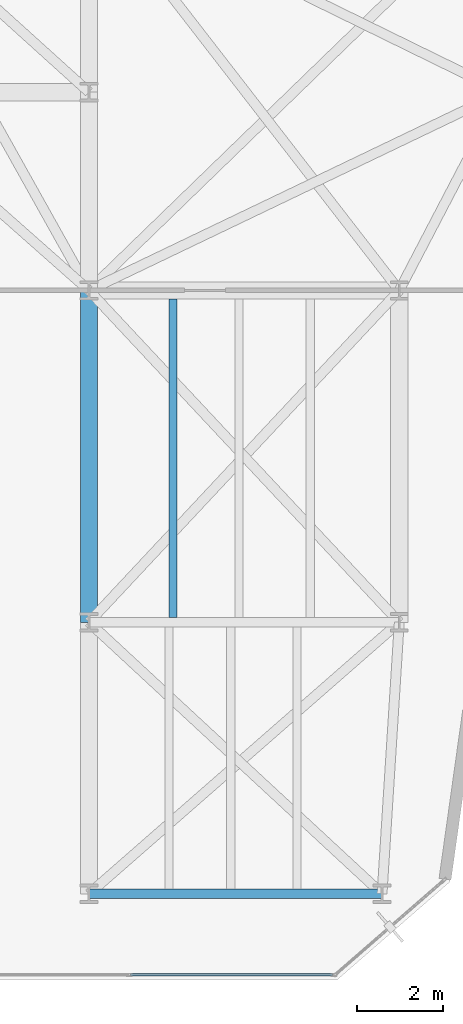
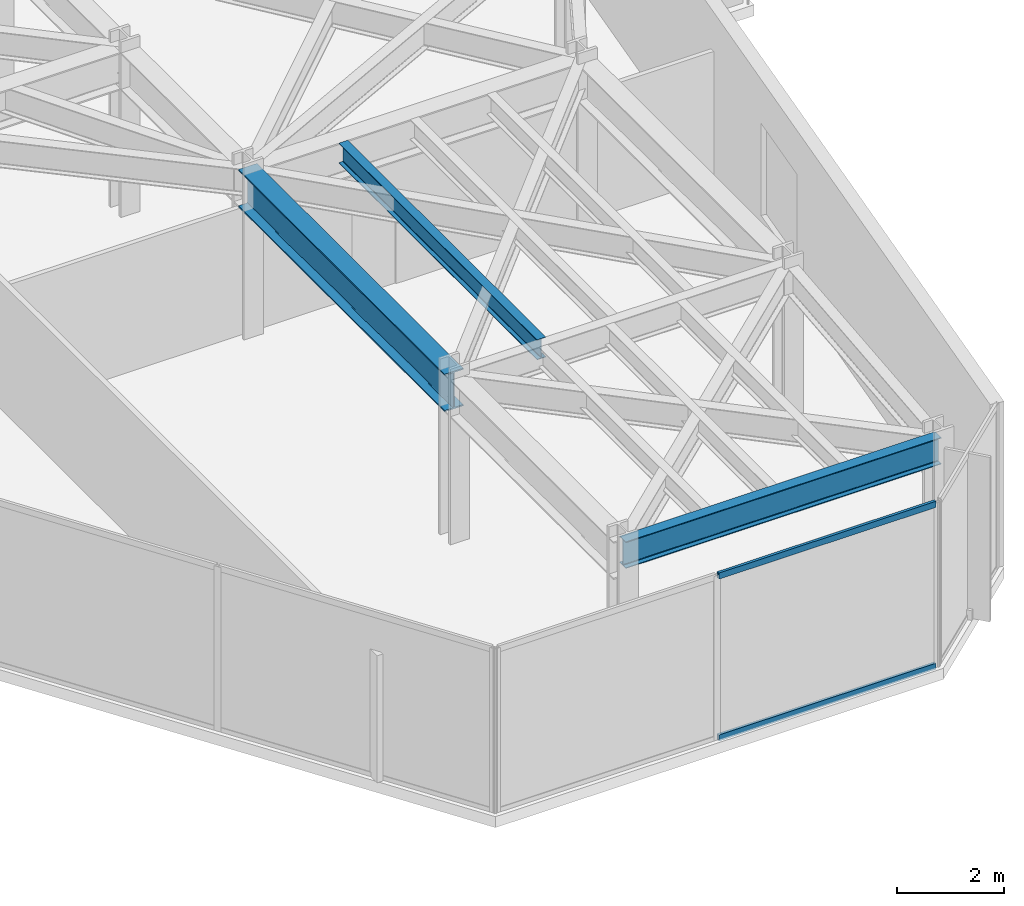
# One storey, part 18 of 26: 3 beams, 2 members, 1 element without a shape of its own.
"""IFC4 building model written with IfcOpenShell, lengths in metres."""

from ifc_helpers import new_model, si_unit, direction, frame, origin, origin_2d, place, context, subcontext, project, spatial, hollow_rectangle, i_section, extrude, material, layer, layer_set, material_profile, profile_set, type_object, element, aggregate, save


model = new_model("IFC4")

# Units and contexts
model_context = context("Model", 3, precision=1e-05, world=origin(), true_north=direction((0.0, 1.0)))
body_context = subcontext(model_context, "Body", "Model", "MODEL_VIEW")
ifc_project = project(units=[si_unit("LENGTHUNIT", "METRE"), si_unit("AREAUNIT", "SQUARE_METRE"), si_unit("VOLUMEUNIT", "CUBIC_METRE"), si_unit("PLANEANGLEUNIT", "RADIAN"), si_unit("MASSUNIT", "GRAM", prefix="KILO")], contexts=[model_context])

# Site, building, storey
site_placement = place(None, origin())
site = spatial("IfcSite", under=ifc_project, at=site_placement, CompositionType="ELEMENT")
building_placement = place(site_placement, origin())
building = spatial("IfcBuilding", under=site, at=building_placement, Name="Kravanh Interchange Tower", CompositionType="ELEMENT")
storey_placement = place(building_placement, frame((0.0, 0.0, 148.0)))
storey = spatial("IfcBuildingStorey", under=building, at=storey_placement, Name="L35", CompositionType="ELEMENT", Elevation=148.0)

# Curtain wall, members
ifc_material_1 = material(Name="Anodised Bronze Aluminium", Category="aluminium")
ifc_layer = layer(ifc_material_1, 0.179931640625)
ifc_layer_set = layer_set([ifc_layer], Name="Unitised Curtain Wall System CW-Z2 Mid Office")
curtain_wall_type = type_object("IfcCurtainWallType", Name="Unitised Curtain Wall System CW-Z2 Mid Office", PredefinedType="NOTDEFINED", material=ifc_layer_set)
curtain_wall_placement = place(storey_placement, origin())
curtain_wall = element("IfcCurtainWall", 1, at=curtain_wall_placement, inside=storey, type_object=curtain_wall_type, Name="L35 Unitised Curtain Wall CW-L35-03", PredefinedType="NOTDEFINED")
ifc_material_2 = material(Name="Anodised Bronze Aluminium", Category="aluminium")
ifc_material_profile_1 = material_profile(ifc_material_2, hollow_rectangle(XDim=0.06005859375, YDim=0.139892578125, WallThickness=0.00390625, at=origin_2d()), Name="ALU60X140X4")
ifc_profile_set_1 = profile_set([ifc_material_profile_1], Name="Anodised Bronze Aluminium")
member_type = type_object("IfcMemberType", Name="Curtain Wall Transom ALU60X140X4 Bronze", PredefinedType="USERDEFINED", material=ifc_profile_set_1)
member_1_placement = place(storey_placement, frame((61.650146484375, 6.320068359375, 0.030029296875), z_axis=(-1.0, 0.0, 0.0), x_axis=(0.0, -1.0, 0.0)))
member_1 = element("IfcMember", 2, at=member_1_placement, type_object=member_type, Name="CW-Z2 transom 1.1", ObjectType="TRANSOM", PredefinedType="USERDEFINED", context=body_context, shape_type="SweptSolid", body=[
    extrude(hollow_rectangle(XDim=0.06005859375, YDim=0.139892578125, WallThickness=0.00390625, at=origin_2d()), origin(), (0.0, 0.0, 1.0), 4.68212890625),
])
member_2_placement = place(storey_placement, frame((61.650146484375, 6.320068359375, 3.719970703125), z_axis=(-1.0, 0.0, 0.0), x_axis=(0.0, -1.0, 0.0)))
member_2 = element("IfcMember", 3, at=member_2_placement, type_object=member_type, Name="CW-Z2 transom 1.2", ObjectType="TRANSOM", PredefinedType="USERDEFINED", context=body_context, shape_type="SweptSolid", body=[
    extrude(hollow_rectangle(XDim=0.06005859375, YDim=0.139892578125, WallThickness=0.00390625, at=origin_2d()), origin(), (0.0, 0.0, 1.0), 4.68212890625),
])
aggregate(curtain_wall, [member_1, member_2])

# Beams
ifc_material_3 = material(Name="Structural Steel S355", Category="steel")
ifc_material_profile_2 = material_profile(ifc_material_3, i_section(OverallWidth=0.39990234375, OverallDepth=0.85595703125, WebThickness=0.018310546875, FlangeThickness=0.029296875, FilletRadius=0.02490234375, at=origin_2d()), Name="W33X201")
ifc_profile_set_2 = profile_set([ifc_material_profile_2], Name="Structural Steel S355")
beam_type_1 = type_object("IfcBeamType", Name="Floor Beam W33X201 Structural Steel S355", PredefinedType="BEAM", material=ifc_profile_set_2)
beam_1_placement = place(storey_placement, frame((56.0, 14.5, 3.322021484375), z_axis=(0.0, 1.0, 0.0), x_axis=(-1.0, 0.0, 0.0)))
element("IfcBeam", 4, at=beam_1_placement, inside=storey, type_object=beam_type_1, Name="L35 Primary Floor Girder 104", PredefinedType="BEAM", context=body_context, shape_type="SweptSolid", body=[
    extrude(i_section(OverallWidth=0.39990234375, OverallDepth=0.85595703125, WebThickness=0.018310546875, FlangeThickness=0.029296875, FilletRadius=0.02490234375, at=origin_2d()), origin(), (0.0, 0.0, 1.0), 7.699951171875),
])
ifc_material_4 = material(Name="Structural Steel S355", Category="steel")
ifc_material_profile_3 = material_profile(ifc_material_4, i_section(OverallWidth=0.18994140625, OverallDepth=0.45703125, WebThickness=0.009033203125, FlangeThickness=0.014404296875, FilletRadius=0.01806640625, at=origin_2d()), Name="W18X50")
ifc_profile_set_3 = profile_set([ifc_material_profile_3], Name="Structural Steel S355")
beam_type_2 = type_object("IfcBeamType", Name="Floor Joist W18X50 Structural Steel S355", PredefinedType="JOIST", material=ifc_profile_set_3)
beam_2_placement = place(storey_placement, frame((57.947998046875, 14.60888671875, 3.521484375), z_axis=(0.0, 1.0, 0.0), x_axis=(-1.0, 0.0, 0.0)))
element("IfcBeam", 5, at=beam_2_placement, inside=storey, type_object=beam_type_2, Name="L35 Secondary Floor Joist 10", PredefinedType="JOIST", context=body_context, shape_type="SweptSolid", body=[
    extrude(i_section(OverallWidth=0.18994140625, OverallDepth=0.45703125, WebThickness=0.009033203125, FlangeThickness=0.014404296875, FilletRadius=0.01806640625, at=origin_2d()), origin(), (0.0, 0.0, 1.0), 7.39599609375),
])
ifc_material_5 = material(Name="Structural Steel S355", Category="steel")
ifc_material_profile_4 = material_profile(ifc_material_5, i_section(OverallWidth=0.22802734375, OverallDepth=0.60791015625, WebThickness=0.01123046875, FlangeThickness=0.017333984375, FilletRadius=0.02197265625, at=origin_2d()), Name="W24X76")
ifc_profile_set_4 = profile_set([ifc_material_profile_4], Name="Structural Steel S355")
beam_type_3 = type_object("IfcBeamType", Name="Floor Spandrel W24X76 Structural Steel S355", PredefinedType="SPANDREL", material=ifc_profile_set_4)
beam_3_placement = place(storey_placement, frame((56.0, 8.199951171875, 3.446044921875), z_axis=(1.0, 0.0, 0.0), x_axis=(0.0, 1.0, 0.0)))
element("IfcBeam", 6, at=beam_3_placement, inside=storey, type_object=beam_type_3, Name="L35 Perimeter Spandrel 96", PredefinedType="SPANDREL", context=body_context, shape_type="SweptSolid", body=[
    extrude(i_section(OverallWidth=0.22802734375, OverallDepth=0.60791015625, WebThickness=0.01123046875, FlangeThickness=0.017333984375, FilletRadius=0.02197265625, at=origin_2d()), origin(), (0.0, 0.0, 1.0), 6.800048828125),
])

save(model, "model.ifc")
